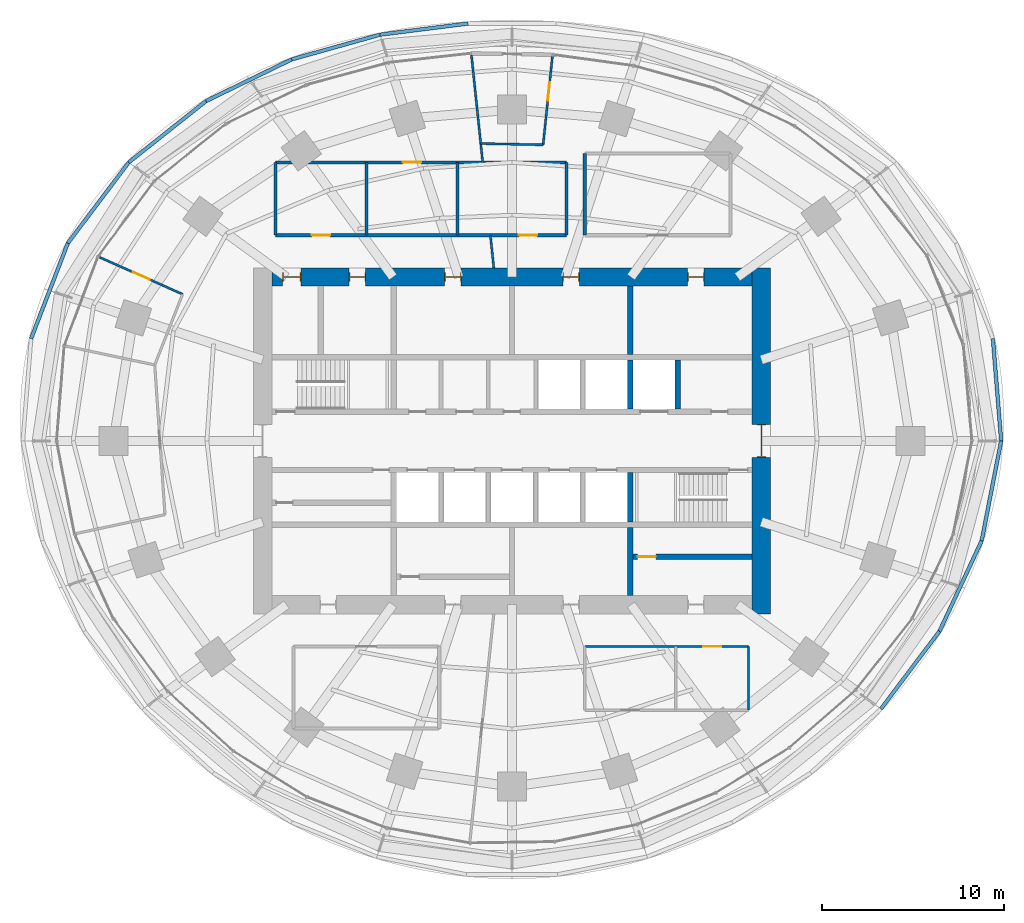
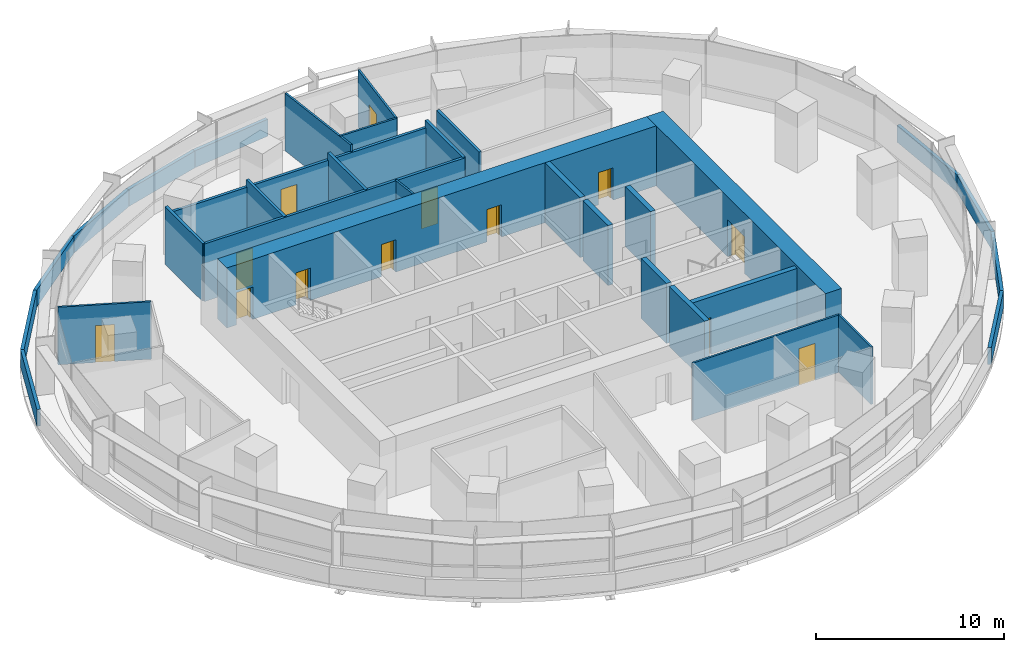
# One storey, part 12 of 15: 32 walls, 13 doors, 13 openings.
"""IFC4 building model written with IfcOpenShell, lengths in metres."""

from ifc_helpers import new_model, si_unit, direction, frame, frame_2d, origin, place, context, subcontext, project, spatial, rectangle, extrude, material, layer, layer_set, type_object, element, fill, save


model = new_model("IFC4")

# Units and contexts
model_context = context("Model", 3, precision=1e-05, world=origin(), true_north=direction((0.0, 1.0)))
body_context = subcontext(model_context, "Body", "Model", "MODEL_VIEW")
ifc_project = project(units=[si_unit("LENGTHUNIT", "METRE"), si_unit("AREAUNIT", "SQUARE_METRE"), si_unit("VOLUMEUNIT", "CUBIC_METRE"), si_unit("PLANEANGLEUNIT", "RADIAN"), si_unit("MASSUNIT", "GRAM", prefix="KILO")], contexts=[model_context])

# Site, building, storey
site_placement = place(None, origin())
site = spatial("IfcSite", under=ifc_project, at=site_placement, CompositionType="ELEMENT")
building_placement = place(site_placement, origin())
building = spatial("IfcBuilding", under=site, at=building_placement, Name="Marramba Exchange Tower", CompositionType="ELEMENT")
storey_placement = place(building_placement, frame((0.0, 0.0, 92.39990234375)))
storey = spatial("IfcBuildingStorey", under=building, at=storey_placement, Name="L21", CompositionType="ELEMENT", Elevation=92.39990234375)

# Walls
ifc_material_1 = material(Name="Plasterboard on staggered double steel studs, acoustic insulation", Category="steel")
ifc_layer_1 = layer(ifc_material_1, 0.169921875)
ifc_layer_set_1 = layer_set([ifc_layer_1], Name="Acoustic partition 170")
wall_type_1 = type_object("IfcWallType", Name="Acoustic partition 170", PredefinedType="PARTITIONING", material=ifc_layer_set_1)
wall_1_placement = place(storey_placement, frame((4.0, 11.300048828125, 0.0), z_axis=(0.0, 0.0, 1.0), x_axis=(0.0, 1.0, 0.0)))
element("IfcWall", 1, at=wall_1_placement, inside=storey, type_object=wall_type_1, Name="Acoustic partition L21 15", PredefinedType="PARTITIONING", context=body_context, shape_type="SweptSolid", body=[
    extrude(rectangle(XDim=4.5, YDim=0.169921875, at=frame_2d((2.25, 0.0))), origin(), (0.0, 0.0, 1.0), 3.739990234375),
])
for number, where, z_axis, x_axis, name in (
    (2, (3.0, 11.300048828125, 0.0), (0.0, 0.0, 1.0), (0.0, 1.0, 0.0), "Acoustic partition L21 16"),
    (3, (-3.0, 15.300048828125, 0.0), (0.0, 0.0, 1.0), (0.0, -1.0, 0.0), "Acoustic partition L21 21"),
):
    element("IfcWall", number, at=place(storey_placement, frame(where, z_axis=z_axis, x_axis=x_axis)), inside=storey, type_object=wall_type_1, Name=name, PredefinedType="PARTITIONING", context=body_context, shape_type="SweptSolid", body=[
        extrude(rectangle(XDim=4.0, YDim=0.169921875, at=frame_2d((2.0, 0.0))), origin(), (0.0, 0.0, 1.0), 3.739990234375),
    ])

# Wall, opening, door
wall_2_placement = place(storey_placement, frame((3.0, 15.300048828125, 0.0), z_axis=(0.0, 0.0, 1.0), x_axis=(-1.0, 0.0, 0.0)))
wall_2 = element("IfcWall", 4, at=wall_2_placement, inside=storey, type_object=wall_type_1, Name="Acoustic partition L21 22", PredefinedType="PARTITIONING", context=body_context, shape_type="SweptSolid", body=[
    extrude(rectangle(XDim=16.0, YDim=0.169921875, at=frame_2d((8.0, 0.0))), origin(), (0.0, 0.0, 1.0), 3.2861328125),
])
opening_1_placement = place(wall_2_placement, frame((8.0, 0.0, 0.0)))
opening_1 = element("IfcOpeningElement", 5, at=opening_1_placement, cuts=wall_2, Name="Opening D9", PredefinedType="OPENING", context=body_context, shape_type="SweptSolid", body=[
    extrude(rectangle(XDim=1.0, YDim=2.39990234375, at=frame_2d((0.5, 1.199951171875))), frame((0.0, 0.094970703125, 0.0), z_axis=(0.0, -1.0, 0.0), x_axis=(1.0, 0.0, 0.0)), (0.0, 0.0, 1.0), 0.18994140625),
])
ifc_material_2 = material(Name="Timber door", Category="wood")
door_type_1 = type_object("IfcDoorType", Name="Room door 1000x2400", OperationType="SINGLE_SWING_LEFT", PredefinedType="DOOR", material=ifc_material_2)
door_1_placement = place(opening_1_placement, origin())
door_1 = element("IfcDoor", 6, at=door_1_placement, inside=storey, type_object=door_type_1, Name="D9 Interview Room 2 L21", OperationType="SINGLE_SWING_RIGHT", OverallHeight=2.39990234375, OverallWidth=1.0, PredefinedType="DOOR", context=body_context, shape_type="SweptSolid", body=[
    extrude(rectangle(XDim=1.0, YDim=2.39990234375, at=frame_2d((0.5, 1.199951171875))), frame((0.0, 0.02490234375, 0.0), z_axis=(0.0, -1.0, 0.0), x_axis=(1.0, 0.0, 0.0)), (0.0, 0.0, 1.0), 0.050048828125),
])
fill(opening_1, door_1)

# Wall, openings, doors
wall_3_placement = place(storey_placement, frame((-13.0, 11.300048828125, 0.0), z_axis=(0.0, 0.0, 1.0), x_axis=(1.0, 0.0, 0.0)))
wall_3 = element("IfcWall", 7, at=wall_3_placement, inside=storey, type_object=wall_type_1, Name="Acoustic partition L21 23", PredefinedType="PARTITIONING", context=body_context, shape_type="SweptSolid", body=[
    extrude(rectangle(XDim=16.0, YDim=0.169921875, at=frame_2d((8.0, 0.0))), origin(), (0.0, 0.0, 1.0), 3.739990234375),
])
opening_2_placement = place(wall_3_placement, frame((2.0, 0.0, 0.0)))
opening_2 = element("IfcOpeningElement", 8, at=opening_2_placement, cuts=wall_3, Name="Opening D9", PredefinedType="OPENING", context=body_context, shape_type="SweptSolid", body=[
    extrude(rectangle(XDim=1.0, YDim=2.39990234375, at=frame_2d((0.5, 1.199951171875))), frame((0.0, 0.094970703125, 0.0), z_axis=(0.0, -1.0, 0.0), x_axis=(1.0, 0.0, 0.0)), (0.0, 0.0, 1.0), 0.18994140625),
])
opening_3_placement = place(wall_3_placement, frame((13.381103515625, 0.0, 0.0)))
opening_3 = element("IfcOpeningElement", 9, at=opening_3_placement, cuts=wall_3, Name="Opening D9", PredefinedType="OPENING", context=body_context, shape_type="SweptSolid", body=[
    extrude(rectangle(XDim=1.0, YDim=2.39990234375, at=frame_2d((0.5, 1.199951171875))), frame((0.0, 0.094970703125, 0.0), z_axis=(0.0, -1.0, 0.0), x_axis=(1.0, 0.0, 0.0)), (0.0, 0.0, 1.0), 0.18994140625),
])
door_2_placement = place(opening_2_placement, origin())
door_2 = element("IfcDoor", 10, at=door_2_placement, inside=storey, type_object=door_type_1, Name="D9 Interview Room 1 L21", OperationType="SINGLE_SWING_RIGHT", OverallHeight=2.39990234375, OverallWidth=1.0, PredefinedType="DOOR", context=body_context, shape_type="SweptSolid", body=[
    extrude(rectangle(XDim=1.0, YDim=2.39990234375, at=frame_2d((0.5, 1.199951171875))), frame((0.0, 0.02490234375, 0.0), z_axis=(0.0, -1.0, 0.0), x_axis=(1.0, 0.0, 0.0)), (0.0, 0.0, 1.0), 0.050048828125),
])
fill(opening_2, door_2)
door_3_placement = place(opening_3_placement, origin())
door_3 = element("IfcDoor", 11, at=door_3_placement, inside=storey, type_object=door_type_1, Name="D9 Interview Room 3 L21", OperationType="SINGLE_SWING_RIGHT", OverallHeight=2.39990234375, OverallWidth=1.0, PredefinedType="DOOR", context=body_context, shape_type="SweptSolid", body=[
    extrude(rectangle(XDim=1.0, YDim=2.39990234375, at=frame_2d((0.5, 1.199951171875))), frame((0.0, 0.02490234375, 0.0), z_axis=(0.0, -1.0, 0.0), x_axis=(1.0, 0.0, 0.0)), (0.0, 0.0, 1.0), 0.050048828125),
])
fill(opening_3, door_3)

# Walls
for number, where, z_axis, x_axis, name in (
    (12, (-8.0, 15.300048828125, 0.0), (0.0, 0.0, 1.0), (0.0, -1.0, 0.0), "Acoustic partition L21 24"),
    (13, (-13.0, 15.300048828125, 0.0), (0.0, 0.0, 1.0), (0.0, -1.0, 0.0), "Acoustic partition L21 25"),
):
    element("IfcWall", number, at=place(storey_placement, frame(where, z_axis=z_axis, x_axis=x_axis)), inside=storey, type_object=wall_type_1, Name=name, PredefinedType="PARTITIONING", context=body_context, shape_type="SweptSolid", body=[
        extrude(rectangle(XDim=4.0, YDim=0.169921875, at=frame_2d((2.0, 0.0))), origin(), (0.0, 0.0, 1.0), 3.739990234375),
    ])

# Wall, openings, doors
ifc_material_3 = material(Name="Concrete N50", Category="concrete")
ifc_layer_2 = layer(ifc_material_3, 1.0)
ifc_layer_set_2 = layer_set([ifc_layer_2], Name="Core wall 1000")
wall_type_2 = type_object("IfcWallType", Name="Core wall 1000", PredefinedType="SHEAR", material=ifc_layer_set_2)
wall_4_placement = place(storey_placement, frame((13.199951171875, 9.0, 0.0), z_axis=(0.0, 0.0, 1.0), x_axis=(-1.0, 0.0, 0.0)))
wall_4 = element("IfcWall", 14, at=wall_4_placement, inside=storey, type_object=wall_type_2, Name="Core wall N L21", PredefinedType="SHEAR", context=body_context, shape_type="SweptSolid", body=[
    extrude(rectangle(XDim=26.39990234375, YDim=1.0, at=frame_2d((13.199951171875, 0.0))), origin(), (0.0, 0.0, 1.0), 3.900146484375),
])
opening_4_placement = place(wall_4_placement, frame((2.64990234375, 0.0, 0.0)))
opening_4 = element("IfcOpeningElement", 15, at=opening_4_placement, cuts=wall_4, Name="Opening D5", PredefinedType="OPENING", context=body_context, shape_type="SweptSolid", body=[
    extrude(rectangle(XDim=0.89990234375, YDim=2.10009765625, at=frame_2d((0.449951171875, 1.050048828125))), frame((0.0, 0.510009765625, 0.0), z_axis=(0.0, -1.0, 0.0), x_axis=(1.0, 0.0, 0.0)), (0.0, 0.0, 1.0), 1.02001953125),
])
opening_5_placement = place(wall_4_placement, frame((9.5, 0.0, 0.0)))
opening_5 = element("IfcOpeningElement", 16, at=opening_5_placement, cuts=wall_4, Name="Opening D3", PredefinedType="OPENING", context=body_context, shape_type="SweptSolid", body=[
    extrude(rectangle(XDim=0.89990234375, YDim=2.10009765625, at=frame_2d((0.449951171875, 1.050048828125))), frame((0.0, 0.510009765625, 0.0), z_axis=(0.0, -1.0, 0.0), x_axis=(1.0, 0.0, 0.0)), (0.0, 0.0, 1.0), 1.02001953125),
])
opening_6_placement = place(wall_4_placement, frame((16.0, 0.0, 0.0)))
opening_6 = element("IfcOpeningElement", 17, at=opening_6_placement, cuts=wall_4, Name="Opening D3", PredefinedType="OPENING", context=body_context, shape_type="SweptSolid", body=[
    extrude(rectangle(XDim=0.89990234375, YDim=2.10009765625, at=frame_2d((0.449951171875, 1.050048828125))), frame((0.0, 0.510009765625, 0.0), z_axis=(0.0, -1.0, 0.0), x_axis=(1.0, 0.0, 0.0)), (0.0, 0.0, 1.0), 1.02001953125),
])
opening_7_placement = place(wall_4_placement, frame((21.25, 0.0, 0.0)))
opening_7 = element("IfcOpeningElement", 18, at=opening_7_placement, cuts=wall_4, Name="Opening D5", PredefinedType="OPENING", context=body_context, shape_type="SweptSolid", body=[
    extrude(rectangle(XDim=0.89990234375, YDim=2.10009765625, at=frame_2d((0.449951171875, 1.050048828125))), frame((0.0, 0.510009765625, 0.0), z_axis=(0.0, -1.0, 0.0), x_axis=(1.0, 0.0, 0.0)), (0.0, 0.0, 1.0), 1.02001953125),
])
opening_8_placement = place(wall_4_placement, frame((24.800048828125, 0.0, 0.0)))
opening_8 = element("IfcOpeningElement", 19, at=opening_8_placement, cuts=wall_4, Name="Opening D4", PredefinedType="OPENING", context=body_context, shape_type="SweptSolid", body=[
    extrude(rectangle(XDim=1.0, YDim=2.10009765625, at=frame_2d((0.5, 1.050048828125))), frame((0.0, 0.510009765625, 0.0), z_axis=(0.0, -1.0, 0.0), x_axis=(1.0, 0.0, 0.0)), (0.0, 0.0, 1.0), 1.02001953125),
])
ifc_material_4 = material(Name="Steel-framed door", Category="steel")
door_type_2 = type_object("IfcDoorType", Name="Accessible toilet door 1000x2100", OperationType="SINGLE_SWING_LEFT", PredefinedType="DOOR", material=ifc_material_4)
door_4_placement = place(opening_8_placement, origin())
door_4 = element("IfcDoor", 20, at=door_4_placement, inside=storey, type_object=door_type_2, Name="D4 awc L21", OperationType="SINGLE_SWING_RIGHT", OverallHeight=2.10009765625, OverallWidth=1.0, PredefinedType="DOOR", context=body_context, shape_type="SweptSolid", body=[
    extrude(rectangle(XDim=0.919921875, YDim=2.06005859375, at=frame_2d((0.5, 1.030029296875))), frame((0.0, 0.02490234375, 0.0), z_axis=(0.0, -1.0, 0.0), x_axis=(1.0, 0.0, 0.0)), (0.0, 0.0, 1.0), 0.050048828125),
    extrude(rectangle(XDim=0.04, YDim=2.10009765625, at=frame_2d((0.02001953125, 1.050048828125))), frame((0.0, 0.25, 0.0), z_axis=(0.0, -1.0, 0.0), x_axis=(1.0, 0.0, 0.0)), (0.0, 0.0, 1.0), 0.5),
    extrude(rectangle(XDim=0.04, YDim=2.10009765625, at=frame_2d((0.97998046875, 1.050048828125))), frame((0.0, 0.25, 0.0), z_axis=(0.0, -1.0, 0.0), x_axis=(1.0, 0.0, 0.0)), (0.0, 0.0, 1.0), 0.5),
    extrude(rectangle(XDim=0.919921875, YDim=0.04, at=frame_2d((0.5, 2.080078125))), frame((0.0, 0.25, 0.0), z_axis=(0.0, -1.0, 0.0), x_axis=(1.0, 0.0, 0.0)), (0.0, 0.0, 1.0), 0.5),
])
fill(opening_8, door_4)
door_type_3 = type_object("IfcDoorType", Name="Service door 900x2100", OperationType="SINGLE_SWING_LEFT", PredefinedType="DOOR", material=ifc_material_4)
door_5_placement = place(opening_4_placement, origin())
door_5 = element("IfcDoor", 21, at=door_5_placement, inside=storey, type_object=door_type_3, Name="D5 comms L21", OperationType="SINGLE_SWING_LEFT", OverallHeight=2.10009765625, OverallWidth=0.89990234375, PredefinedType="DOOR", context=body_context, shape_type="SweptSolid", body=[
    extrude(rectangle(XDim=0.81982421875, YDim=2.06005859375, at=frame_2d((0.449951171875, 1.030029296875))), frame((0.0, 0.02490234375, 0.0), z_axis=(0.0, -1.0, 0.0), x_axis=(1.0, 0.0, 0.0)), (0.0, 0.0, 1.0), 0.050048828125),
    extrude(rectangle(XDim=0.04, YDim=2.10009765625, at=frame_2d((0.02001953125, 1.050048828125))), frame((0.0, 0.25, 0.0), z_axis=(0.0, -1.0, 0.0), x_axis=(1.0, 0.0, 0.0)), (0.0, 0.0, 1.0), 0.5),
    extrude(rectangle(XDim=0.04, YDim=2.10009765625, at=frame_2d((0.8798828125, 1.050048828125))), frame((0.0, 0.25, 0.0), z_axis=(0.0, -1.0, 0.0), x_axis=(1.0, 0.0, 0.0)), (0.0, 0.0, 1.0), 0.5),
    extrude(rectangle(XDim=0.81982421875, YDim=0.04, at=frame_2d((0.449951171875, 2.080078125))), frame((0.0, 0.25, 0.0), z_axis=(0.0, -1.0, 0.0), x_axis=(1.0, 0.0, 0.0)), (0.0, 0.0, 1.0), 0.5),
])
fill(opening_4, door_5)
door_6_placement = place(opening_7_placement, origin())
door_6 = element("IfcDoor", 22, at=door_6_placement, inside=storey, type_object=door_type_3, Name="D5 cleaner L21", OperationType="SINGLE_SWING_RIGHT", OverallHeight=2.10009765625, OverallWidth=0.89990234375, PredefinedType="DOOR", context=body_context, shape_type="SweptSolid", body=[
    extrude(rectangle(XDim=0.81982421875, YDim=2.06005859375, at=frame_2d((0.449951171875, 1.030029296875))), frame((0.0, 0.02490234375, 0.0), z_axis=(0.0, -1.0, 0.0), x_axis=(1.0, 0.0, 0.0)), (0.0, 0.0, 1.0), 0.050048828125),
    extrude(rectangle(XDim=0.04, YDim=2.10009765625, at=frame_2d((0.02001953125, 1.050048828125))), frame((0.0, 0.25, 0.0), z_axis=(0.0, -1.0, 0.0), x_axis=(1.0, 0.0, 0.0)), (0.0, 0.0, 1.0), 0.5),
    extrude(rectangle(XDim=0.04, YDim=2.10009765625, at=frame_2d((0.8798828125, 1.050048828125))), frame((0.0, 0.25, 0.0), z_axis=(0.0, -1.0, 0.0), x_axis=(1.0, 0.0, 0.0)), (0.0, 0.0, 1.0), 0.5),
    extrude(rectangle(XDim=0.81982421875, YDim=0.04, at=frame_2d((0.449951171875, 2.080078125))), frame((0.0, 0.25, 0.0), z_axis=(0.0, -1.0, 0.0), x_axis=(1.0, 0.0, 0.0)), (0.0, 0.0, 1.0), 0.5),
])
fill(opening_7, door_6)
door_type_4 = type_object("IfcDoorType", Name="Toilet door 900x2100", OperationType="SINGLE_SWING_LEFT", PredefinedType="DOOR", material=ifc_material_4)
door_7_placement = place(opening_5_placement, origin())
door_7 = element("IfcDoor", 23, at=door_7_placement, inside=storey, type_object=door_type_4, Name="D3 wc-f L21", OperationType="SINGLE_SWING_RIGHT", OverallHeight=2.10009765625, OverallWidth=0.89990234375, PredefinedType="DOOR", context=body_context, shape_type="SweptSolid", body=[
    extrude(rectangle(XDim=0.81982421875, YDim=2.06005859375, at=frame_2d((0.449951171875, 1.030029296875))), frame((0.0, 0.02490234375, 0.0), z_axis=(0.0, -1.0, 0.0), x_axis=(1.0, 0.0, 0.0)), (0.0, 0.0, 1.0), 0.050048828125),
    extrude(rectangle(XDim=0.04, YDim=2.10009765625, at=frame_2d((0.02001953125, 1.050048828125))), frame((0.0, 0.25, 0.0), z_axis=(0.0, -1.0, 0.0), x_axis=(1.0, 0.0, 0.0)), (0.0, 0.0, 1.0), 0.5),
    extrude(rectangle(XDim=0.04, YDim=2.10009765625, at=frame_2d((0.8798828125, 1.050048828125))), frame((0.0, 0.25, 0.0), z_axis=(0.0, -1.0, 0.0), x_axis=(1.0, 0.0, 0.0)), (0.0, 0.0, 1.0), 0.5),
    extrude(rectangle(XDim=0.81982421875, YDim=0.04, at=frame_2d((0.449951171875, 2.080078125))), frame((0.0, 0.25, 0.0), z_axis=(0.0, -1.0, 0.0), x_axis=(1.0, 0.0, 0.0)), (0.0, 0.0, 1.0), 0.5),
])
fill(opening_5, door_7)
door_8_placement = place(opening_6_placement, origin())
door_8 = element("IfcDoor", 24, at=door_8_placement, inside=storey, type_object=door_type_4, Name="D3 wc-m L21", OperationType="SINGLE_SWING_RIGHT", OverallHeight=2.10009765625, OverallWidth=0.89990234375, PredefinedType="DOOR", context=body_context, shape_type="SweptSolid", body=[
    extrude(rectangle(XDim=0.81982421875, YDim=2.06005859375, at=frame_2d((0.449951171875, 1.030029296875))), frame((0.0, 0.02490234375, 0.0), z_axis=(0.0, -1.0, 0.0), x_axis=(1.0, 0.0, 0.0)), (0.0, 0.0, 1.0), 0.050048828125),
    extrude(rectangle(XDim=0.04, YDim=2.10009765625, at=frame_2d((0.02001953125, 1.050048828125))), frame((0.0, 0.25, 0.0), z_axis=(0.0, -1.0, 0.0), x_axis=(1.0, 0.0, 0.0)), (0.0, 0.0, 1.0), 0.5),
    extrude(rectangle(XDim=0.04, YDim=2.10009765625, at=frame_2d((0.8798828125, 1.050048828125))), frame((0.0, 0.25, 0.0), z_axis=(0.0, -1.0, 0.0), x_axis=(1.0, 0.0, 0.0)), (0.0, 0.0, 1.0), 0.5),
    extrude(rectangle(XDim=0.81982421875, YDim=0.04, at=frame_2d((0.449951171875, 2.080078125))), frame((0.0, 0.25, 0.0), z_axis=(0.0, -1.0, 0.0), x_axis=(1.0, 0.0, 0.0)), (0.0, 0.0, 1.0), 0.5),
])
fill(opening_6, door_8)

# Wall, opening, door
wall_5_placement = place(storey_placement, frame((13.699951171875, -9.5, 0.0), z_axis=(0.0, 0.0, 1.0), x_axis=(0.0, 1.0, 0.0)))
wall_5 = element("IfcWall", 25, at=wall_5_placement, inside=storey, type_object=wall_type_2, Name="Core wall E L21", PredefinedType="SHEAR", context=body_context, shape_type="SweptSolid", body=[
    extrude(rectangle(XDim=19.0, YDim=1.0, at=frame_2d((9.5, 0.0))), origin(), (0.0, 0.0, 1.0), 3.900146484375),
])
opening_9_placement = place(wall_5_placement, frame((8.60009765625, 0.0, 0.0)))
opening_9 = element("IfcOpeningElement", 26, at=opening_9_placement, cuts=wall_5, Name="Opening D1", PredefinedType="OPENING", context=body_context, shape_type="SweptSolid", body=[
    extrude(rectangle(XDim=1.800048828125, YDim=2.39990234375, at=frame_2d((0.89990234375, 1.199951171875))), frame((0.0, 0.510009765625, 0.0), z_axis=(0.0, -1.0, 0.0), x_axis=(1.0, 0.0, 0.0)), (0.0, 0.0, 1.0), 1.02001953125),
])
door_type_5 = type_object("IfcDoorType", Name="Lobby exit door 1800x2400", OperationType="DOUBLE_DOOR_SINGLE_SWING", PredefinedType="DOOR", material=ifc_material_4)
door_9_placement = place(opening_9_placement, origin())
door_9 = element("IfcDoor", 27, at=door_9_placement, inside=storey, type_object=door_type_5, Name="D1 lobby exit east L21", OperationType="DOUBLE_DOOR_SINGLE_SWING", OverallHeight=2.39990234375, OverallWidth=1.800048828125, PredefinedType="DOOR", context=body_context, shape_type="SweptSolid", body=[
    extrude(rectangle(XDim=1.719970703125, YDim=2.35986328125, at=frame_2d((0.89990234375, 1.179931640625))), frame((0.0, 0.02490234375, 0.0), z_axis=(0.0, -1.0, 0.0), x_axis=(1.0, 0.0, 0.0)), (0.0, 0.0, 1.0), 0.050048828125),
    extrude(rectangle(XDim=0.04, YDim=2.39990234375, at=frame_2d((0.02001953125, 1.199951171875))), frame((0.0, 0.25, 0.0), z_axis=(0.0, -1.0, 0.0), x_axis=(1.0, 0.0, 0.0)), (0.0, 0.0, 1.0), 0.5),
    extrude(rectangle(XDim=0.04, YDim=2.39990234375, at=frame_2d((1.780029296875, 1.199951171875))), frame((0.0, 0.25, 0.0), z_axis=(0.0, -1.0, 0.0), x_axis=(1.0, 0.0, 0.0)), (0.0, 0.0, 1.0), 0.5),
    extrude(rectangle(XDim=1.719970703125, YDim=0.04, at=frame_2d((0.89990234375, 2.3798828125))), frame((0.0, 0.25, 0.0), z_axis=(0.0, -1.0, 0.0), x_axis=(1.0, 0.0, 0.0)), (0.0, 0.0, 1.0), 0.5),
])
fill(opening_9, door_9)

# Walls
ifc_layer_3 = layer(ifc_material_3, 0.300048828125)
ifc_layer_set_3 = layer_set([ifc_layer_3], Name="Core wall 300")
wall_type_3 = type_object("IfcWallType", Name="Core wall 300", PredefinedType="SHEAR", material=ifc_layer_set_3)
wall_6_placement = place(storey_placement, frame((6.5, 1.75, 0.0), z_axis=(0.0, 0.0, 1.0), x_axis=(0.0, 1.0, 0.0)))
element("IfcWall", 28, at=wall_6_placement, inside=storey, type_object=wall_type_3, Name="Core wall X1Na L21", PredefinedType="SHEAR", context=body_context, shape_type="SweptSolid", body=[
    extrude(rectangle(XDim=2.699951171875, YDim=0.300048828125, at=frame_2d((1.35009765625, 0.0))), origin(), (0.0, 0.0, 1.0), 3.900146484375),
])
wall_7_placement = place(storey_placement, frame((6.5, 4.75, 0.0), z_axis=(0.0, 0.0, 1.0), x_axis=(0.0, 1.0, 0.0)))
element("IfcWall", 29, at=wall_7_placement, inside=storey, type_object=wall_type_3, Name="Core wall X1Nb L21", PredefinedType="SHEAR", context=body_context, shape_type="SweptSolid", body=[
    extrude(rectangle(XDim=3.75, YDim=0.300048828125, at=frame_2d((1.875, 0.0))), origin(), (0.0, 0.0, 1.0), 3.900146484375),
])
wall_8_placement = place(storey_placement, frame((6.5, -1.75, 0.0), z_axis=(0.0, 0.0, 1.0), x_axis=(0.0, -1.0, 0.0)))
element("IfcWall", 30, at=wall_8_placement, inside=storey, type_object=wall_type_3, Name="Core wall X1Sa L21", PredefinedType="SHEAR", context=body_context, shape_type="SweptSolid", body=[
    extrude(rectangle(XDim=2.699951171875, YDim=0.300048828125, at=frame_2d((1.35009765625, 0.0))), origin(), (0.0, 0.0, 1.0), 3.900146484375),
])
wall_9_placement = place(storey_placement, frame((6.5, -4.75, 0.0), z_axis=(0.0, 0.0, 1.0), x_axis=(0.0, -1.0, 0.0)))
element("IfcWall", 31, at=wall_9_placement, inside=storey, type_object=wall_type_3, Name="Core wall X1Sb L21", PredefinedType="SHEAR", context=body_context, shape_type="SweptSolid", body=[
    extrude(rectangle(XDim=3.75, YDim=0.300048828125, at=frame_2d((1.875, 0.0))), origin(), (0.0, 0.0, 1.0), 3.900146484375),
])
wall_10_placement = place(storey_placement, frame((9.10009765625, 1.75, 0.0), z_axis=(0.0, 0.0, 1.0), x_axis=(0.0, 1.0, 0.0)))
element("IfcWall", 32, at=wall_10_placement, inside=storey, type_object=wall_type_3, Name="Core wall ED L21", PredefinedType="SHEAR", context=body_context, shape_type="SweptSolid", body=[
    extrude(rectangle(XDim=2.699951171875, YDim=0.300048828125, at=frame_2d((1.35009765625, 0.0))), origin(), (0.0, 0.0, 1.0), 3.900146484375),
])

# Wall, opening, door
ifc_material_5 = material(Name="Plasterboard on steel studs", Category="steel")
ifc_layer_4 = layer(ifc_material_5, 0.1201171875)
ifc_layer_set_4 = layer_set([ifc_layer_4], Name="Partition 120")
wall_type_4 = type_object("IfcWallType", Name="Partition 120", PredefinedType="PARTITIONING", material=ifc_layer_set_4)
wall_11_placement = place(storey_placement, frame((4.0, -11.300048828125, 0.0), z_axis=(0.0, 0.0, 1.0), x_axis=(1.0, 0.0, 0.0)))
wall_11 = element("IfcWall", 33, at=wall_11_placement, inside=storey, type_object=wall_type_4, Name="Partition L21 10", PredefinedType="PARTITIONING", context=body_context, shape_type="SweptSolid", body=[
    extrude(rectangle(XDim=9.0, YDim=0.1201171875, at=frame_2d((4.5, 0.0))), origin(), (0.0, 0.0, 1.0), 3.739990234375),
])
opening_10_placement = place(wall_11_placement, frame((6.5, 0.0, 0.0)))
opening_10 = element("IfcOpeningElement", 34, at=opening_10_placement, cuts=wall_11, Name="Opening D9", PredefinedType="OPENING", context=body_context, shape_type="SweptSolid", body=[
    extrude(rectangle(XDim=1.0, YDim=2.39990234375, at=frame_2d((0.5, 1.199951171875))), frame((0.0, 0.070068359375, 0.0), z_axis=(0.0, -1.0, 0.0), x_axis=(1.0, 0.0, 0.0)), (0.0, 0.0, 1.0), 0.14013671875),
])
door_10_placement = place(opening_10_placement, frame((1.0, 0.0, 0.0), z_axis=(0.0, 0.0, 1.0), x_axis=(-1.0, 0.0, 0.0)))
door_10 = element("IfcDoor", 35, at=door_10_placement, inside=storey, type_object=door_type_1, Name="D9 Print Room L21", OperationType="SINGLE_SWING_RIGHT", OverallHeight=2.39990234375, OverallWidth=1.0, PredefinedType="DOOR", context=body_context, shape_type="SweptSolid", body=[
    extrude(rectangle(XDim=1.0, YDim=2.39990234375, at=frame_2d((0.5, 1.199951171875))), frame((0.0, 0.025146484375, 0.0), z_axis=(0.0, -1.0, 0.0), x_axis=(1.0, 0.0, 0.0)), (0.0, 0.0, 1.0), 0.050048828125),
])
fill(opening_10, door_10)

# Wall
wall_12_placement = place(storey_placement, frame((13.0, -11.300048828125, 0.0), z_axis=(0.0, 0.0, 1.0), x_axis=(0.0, -1.0, 0.0)))
element("IfcWall", 36, at=wall_12_placement, inside=storey, type_object=wall_type_4, Name="Partition L21 11", PredefinedType="PARTITIONING", context=body_context, shape_type="SweptSolid", body=[
    extrude(rectangle(XDim=3.5, YDim=0.1201171875, at=frame_2d((1.75, 0.0))), origin(), (0.0, 0.0, 1.0), 3.739990234375),
])

# Wall, opening, door
wall_13_placement = place(storey_placement, frame((1.7099609375, 16.2685546875, 0.0), z_axis=(0.0, 0.0, 1.0), x_axis=(0.104534350613, 0.994521276566, 0.0)))
wall_13 = element("IfcWall", 37, at=wall_13_placement, inside=storey, type_object=wall_type_4, Name="Partition L21 17", PredefinedType="PARTITIONING", context=body_context, shape_type="SweptSolid", body=[
    extrude(rectangle(XDim=4.89990234375, YDim=0.1201171875, at=frame_2d((2.449951171875, 0.0))), origin(), (0.0, 0.0, 1.0), 3.739990234375),
])
opening_11_placement = place(wall_13_placement, frame((2.449951171875, 0.0, 0.0)))
opening_11 = element("IfcOpeningElement", 38, at=opening_11_placement, cuts=wall_13, Name="Opening D9", PredefinedType="OPENING", context=body_context, shape_type="SweptSolid", body=[
    extrude(rectangle(XDim=1.0, YDim=2.39990234375, at=frame_2d((0.5, 1.199951171875))), frame((0.0, 0.070068359375, 0.0), z_axis=(0.0, -1.0, 0.0), x_axis=(1.0, 0.0, 0.0)), (0.0, 0.0, 1.0), 0.14013671875),
])
door_11_placement = place(opening_11_placement, origin())
door_11 = element("IfcDoor", 39, at=door_11_placement, inside=storey, type_object=door_type_1, Name="D9 Roof Maintenance Store L21", OperationType="SINGLE_SWING_RIGHT", OverallHeight=2.39990234375, OverallWidth=1.0, PredefinedType="DOOR", context=body_context, shape_type="SweptSolid", body=[
    extrude(rectangle(XDim=1.0, YDim=2.39990234375, at=frame_2d((0.5, 1.199951171875))), frame((0.0, 0.02490234375, 0.0), z_axis=(0.0, -1.0, 0.0), x_axis=(1.0, 0.0, 0.0)), (0.0, 0.0, 1.0), 0.050048828125),
])
fill(opening_11, door_11)

# Walls
wall_14_placement = place(storey_placement, frame((-1.71728515625, 16.3388671875, 0.0), z_axis=(0.0, 0.0, 1.0), x_axis=(0.999789618554, -0.020511426852, 0.0)))
element("IfcWall", 40, at=wall_14_placement, inside=storey, type_object=wall_type_4, Name="Partition L21 18", PredefinedType="PARTITIONING", context=body_context, shape_type="SweptSolid", body=[
    extrude(rectangle(XDim=3.427978515625, YDim=0.1201171875, at=frame_2d((1.7138671875, 0.0))), origin(), (0.0, 0.0, 1.0), 3.739990234375),
])
wall_15_placement = place(storey_placement, frame((-1.608154296875, 15.300048828125, 0.0), z_axis=(0.0, 0.0, 1.0), x_axis=(-0.104520170215, 0.994522766968, 0.0)))
element("IfcWall", 41, at=wall_15_placement, inside=storey, type_object=wall_type_4, Name="Partition L21 19", PredefinedType="PARTITIONING", context=body_context, shape_type="SweptSolid", body=[
    extrude(rectangle(XDim=5.944580078125, YDim=0.1201171875, at=frame_2d((2.97216796875, 0.0))), origin(), (0.0, 0.0, 1.0), 3.739990234375),
])
wall_16_placement = place(storey_placement, frame((-0.99853515625, 9.5, 0.0), z_axis=(0.0, 0.0, 1.0), x_axis=(-0.104537331683, 0.99452096322, 0.0)))
element("IfcWall", 42, at=wall_16_placement, inside=storey, type_object=wall_type_4, Name="Partition L21 20", PredefinedType="PARTITIONING", context=body_context, shape_type="SweptSolid", body=[
    extrude(rectangle(XDim=1.81005859375, YDim=0.1201171875, at=frame_2d((0.905029296875, 0.0))), origin(), (0.0, 0.0, 1.0), 3.739990234375),
])

# Wall, opening, door
wall_17_placement = place(storey_placement, frame((-18.101806640625, 8.0595703125, 0.0), z_axis=(0.0, 0.0, 1.0), x_axis=(-0.913549606868, 0.406727323635, 0.0)))
wall_17 = element("IfcWall", 43, at=wall_17_placement, inside=storey, type_object=wall_type_4, Name="Partition L21 26", PredefinedType="PARTITIONING", context=body_context, shape_type="SweptSolid", body=[
    extrude(rectangle(XDim=5.000244140625, YDim=0.1201171875, at=frame_2d((2.5, 0.0))), origin(), (0.0, 0.0, 1.0), 3.739990234375),
])
opening_12_placement = place(wall_17_placement, frame((1.97509765625, 0.0, 0.0)))
opening_12 = element("IfcOpeningElement", 44, at=opening_12_placement, cuts=wall_17, Name="Opening D9", PredefinedType="OPENING", context=body_context, shape_type="SweptSolid", body=[
    extrude(rectangle(XDim=1.0, YDim=2.39990234375, at=frame_2d((0.5, 1.199951171875))), frame((0.0, 0.070068359375, 0.0), z_axis=(0.0, -1.0, 0.0), x_axis=(1.0, 0.0, 0.0)), (0.0, 0.0, 1.0), 0.14013671875),
])
door_12_placement = place(opening_12_placement, origin())
door_12 = element("IfcDoor", 45, at=door_12_placement, inside=storey, type_object=door_type_1, Name="D9 Listings Office 2 L21", OperationType="SINGLE_SWING_LEFT", OverallHeight=2.39990234375, OverallWidth=1.0, PredefinedType="DOOR", context=body_context, shape_type="SweptSolid", body=[
    extrude(rectangle(XDim=1.0, YDim=2.39990234375, at=frame_2d((0.5, 1.199951171875))), frame((0.0, 0.02490234375, 0.0), z_axis=(0.0, -1.0, 0.0), x_axis=(1.0, 0.0, 0.0)), (0.0, 0.0, 1.0), 0.050048828125),
])
fill(opening_12, door_12)

# Walls
ifc_material_6 = material(Name="Concrete N40", Category="concrete")
ifc_layer_5 = layer(ifc_material_6, 0.199951171875)
ifc_layer_set_5 = layer_set([ifc_layer_5], Name="Roof parapet 200")
wall_type_5 = type_object("IfcWallType", Name="Roof parapet 200", PredefinedType="PARAPET", material=ifc_layer_set_5)
wall_18_placement = place(storey_placement, frame((26.8798828125, 0.0, 0.0), z_axis=(0.0, 0.0, 1.0), x_axis=(-0.08044944748, 0.996758690155, 0.0)))
element("IfcWall", 46, at=wall_18_placement, inside=storey, type_object=wall_type_5, Name="Parapet L21 F01", PredefinedType="PARAPET", context=body_context, shape_type="SweptSolid", body=[
    extrude(rectangle(XDim=5.635498046875, YDim=0.199951171875, at=frame_2d((2.81787109375, 0.0))), origin(), (0.0, 0.0, 1.0), 1.10009765625),
])
wall_19_placement = place(storey_placement, frame((-2.41064453125, 22.9345703125, 0.0), z_axis=(0.0, 0.0, 1.0), x_axis=(-0.992074161456, -0.125653723268, 0.0)))
element("IfcWall", 47, at=wall_19_placement, inside=storey, type_object=wall_type_5, Name="Parapet L21 F09", PredefinedType="PARAPET", context=body_context, shape_type="SweptSolid", body=[
    extrude(rectangle(XDim=4.880615234375, YDim=0.199951171875, at=frame_2d((2.4404296875, 0.0))), origin(), (0.0, 0.0, 1.0), 1.10009765625),
])
wall_20_placement = place(storey_placement, frame((-7.252685546875, 22.3212890625, 0.0), z_axis=(0.0, 0.0, 1.0), x_axis=(-0.963091760642, -0.269173290993, 0.0)))
element("IfcWall", 48, at=wall_20_placement, inside=storey, type_object=wall_type_5, Name="Parapet L21 F10", PredefinedType="PARAPET", context=body_context, shape_type="SweptSolid", body=[
    extrude(rectangle(XDim=5.03759765625, YDim=0.199951171875, at=frame_2d((2.518798828125, 0.0))), origin(), (0.0, 0.0, 1.0), 1.10009765625),
])
wall_21_placement = place(storey_placement, frame((-12.104248046875, 20.96533203125, 0.0), z_axis=(0.0, 0.0, 1.0), x_axis=(-0.899240540061, -0.437454513191, 0.0)))
element("IfcWall", 49, at=wall_21_placement, inside=storey, type_object=wall_type_5, Name="Parapet L21 F11", PredefinedType="PARAPET", context=body_context, shape_type="SweptSolid", body=[
    extrude(rectangle(XDim=5.23779296875, YDim=0.199951171875, at=frame_2d((2.618896484375, 0.0))), origin(), (0.0, 0.0, 1.0), 1.10009765625),
])
wall_22_placement = place(storey_placement, frame((-16.814208984375, 18.674072265625, 0.0), z_axis=(0.0, 0.0, 1.0), x_axis=(-0.783182417739, -0.621792007462, 0.0)))
element("IfcWall", 50, at=wall_22_placement, inside=storey, type_object=wall_type_5, Name="Parapet L21 F12", PredefinedType="PARAPET", context=body_context, shape_type="SweptSolid", body=[
    extrude(rectangle(XDim=5.423095703125, YDim=0.199951171875, at=frame_2d((2.71142578125, 0.0))), origin(), (0.0, 0.0, 1.0), 1.10009765625),
])
wall_23_placement = place(storey_placement, frame((-21.0615234375, 15.302001953125, 0.0), z_axis=(0.0, 0.0, 1.0), x_axis=(-0.602135346541, -0.798394028313, 0.0)))
element("IfcWall", 51, at=wall_23_placement, inside=storey, type_object=wall_type_5, Name="Parapet L21 F13", PredefinedType="PARAPET", context=body_context, shape_type="SweptSolid", body=[
    extrude(rectangle(XDim=5.5556640625, YDim=0.199951171875, at=frame_2d((2.77783203125, 0.0))), origin(), (0.0, 0.0, 1.0), 1.10009765625),
])
wall_24_placement = place(storey_placement, frame((-24.40673828125, 10.866455078125, 0.0), z_axis=(0.0, 0.0, 1.0), x_axis=(-0.359107059798, -0.933296372865, 0.0)))
element("IfcWall", 52, at=wall_24_placement, inside=storey, type_object=wall_type_5, Name="Parapet L21 F14", PredefinedType="PARAPET", context=body_context, shape_type="SweptSolid", body=[
    extrude(rectangle(XDim=5.62451171875, YDim=0.199951171875, at=frame_2d((2.812255859375, 0.0))), origin(), (0.0, 0.0, 1.0), 1.10009765625),
])
wall_25_placement = place(storey_placement, frame((20.271484375, -14.728271484375, 0.0), z_axis=(0.0, 0.0, 1.0), x_axis=(0.602152771338, 0.798380886526, 0.0)))
element("IfcWall", 53, at=wall_25_placement, inside=storey, type_object=wall_type_5, Name="Parapet L21 F28", PredefinedType="PARAPET", context=body_context, shape_type="SweptSolid", body=[
    extrude(rectangle(XDim=5.347412109375, YDim=0.199951171875, at=frame_2d((2.673828125, 0.0))), origin(), (0.0, 0.0, 1.0), 1.10009765625),
])
wall_26_placement = place(storey_placement, frame((23.491455078125, -10.458984375, 0.0), z_axis=(0.0, 0.0, 1.0), x_axis=(0.422500542985, 0.906362670887, 0.0)))
element("IfcWall", 54, at=wall_26_placement, inside=storey, type_object=wall_type_5, Name="Parapet L21 F29", PredefinedType="PARAPET", context=body_context, shape_type="SweptSolid", body=[
    extrude(rectangle(XDim=5.486572265625, YDim=0.199951171875, at=frame_2d((2.7431640625, 0.0))), origin(), (0.0, 0.0, 1.0), 1.10009765625),
])
wall_27_placement = place(storey_placement, frame((25.8095703125, -5.486083984375, 0.0), z_axis=(0.0, 0.0, 1.0), x_axis=(0.191485729296, 0.981495397583, 0.0)))
element("IfcWall", 55, at=wall_27_placement, inside=storey, type_object=wall_type_5, Name="Parapet L21 F30", PredefinedType="PARAPET", context=body_context, shape_type="SweptSolid", body=[
    extrude(rectangle(XDim=5.589599609375, YDim=0.199951171875, at=frame_2d((2.794921875, 0.0))), origin(), (0.0, 0.0, 1.0), 1.10009765625),
])

# Wall, opening, door
ifc_material_7 = material(Name="Plasterboard on steel studs, insulated, unrated", Category="steel")
ifc_layer_6 = layer(ifc_material_7, 0.300048828125)
ifc_layer_set_6 = layer_set([ifc_layer_6], Name="Store partition 300")
wall_type_6 = type_object("IfcWallType", Name="Store partition 300", PredefinedType="PARTITIONING", material=ifc_layer_set_6)
wall_28_placement = place(storey_placement, frame((6.64990234375, -6.360107421875, 0.0), z_axis=(0.0, 0.0, 1.0), x_axis=(1.0, 0.0, 0.0)))
wall_28 = element("IfcWall", 56, at=wall_28_placement, inside=storey, type_object=wall_type_6, Name="Store partition L21 cstore", PredefinedType="PARTITIONING", context=body_context, shape_type="SweptSolid", body=[
    extrude(rectangle(XDim=6.550048828125, YDim=0.300048828125, at=frame_2d((3.27490234375, 0.0))), origin(), (0.0, 0.0, 1.0), 3.739990234375),
])
opening_13_placement = place(wall_28_placement, frame((0.25, 0.0, 0.0)))
opening_13 = element("IfcOpeningElement", 57, at=opening_13_placement, cuts=wall_28, Name="Opening D9", PredefinedType="OPENING", context=body_context, shape_type="SweptSolid", body=[
    extrude(rectangle(XDim=1.0, YDim=2.39990234375, at=frame_2d((0.5, 1.199951171875))), frame((0.0, 0.159912109375, 0.0), z_axis=(0.0, -1.0, 0.0), x_axis=(1.0, 0.0, 0.0)), (0.0, 0.0, 1.0), 0.320068359375),
])
door_13_placement = place(opening_13_placement, origin())
door_13 = element("IfcDoor", 58, at=door_13_placement, inside=storey, type_object=door_type_1, Name="D9 general store L21", OperationType="SINGLE_SWING_LEFT", OverallHeight=2.39990234375, OverallWidth=1.0, PredefinedType="DOOR", context=body_context, shape_type="SweptSolid", body=[
    extrude(rectangle(XDim=1.0, YDim=2.39990234375, at=frame_2d((0.5, 1.199951171875))), frame((0.0, 0.02490234375, 0.0), z_axis=(0.0, -1.0, 0.0), x_axis=(1.0, 0.0, 0.0)), (0.0, 0.0, 1.0), 0.050048828125),
])
fill(opening_13, door_13)

save(model, "model.ifc")
